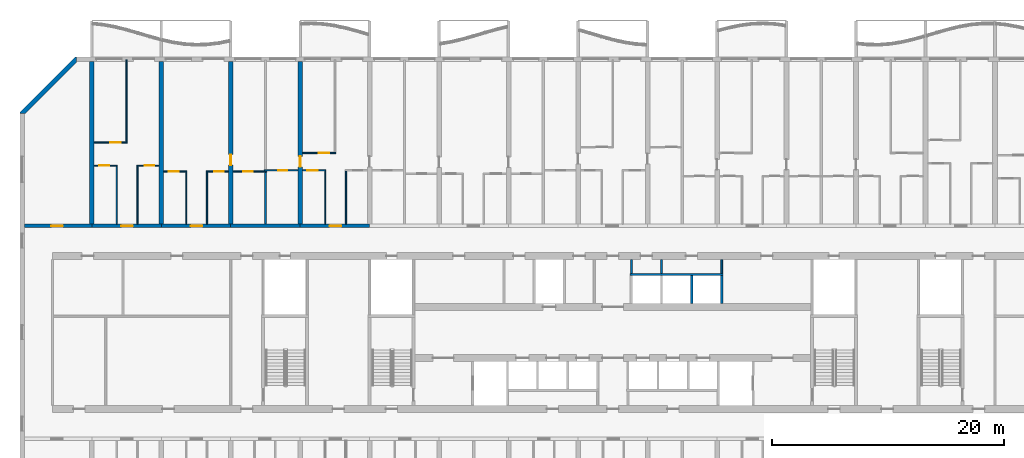
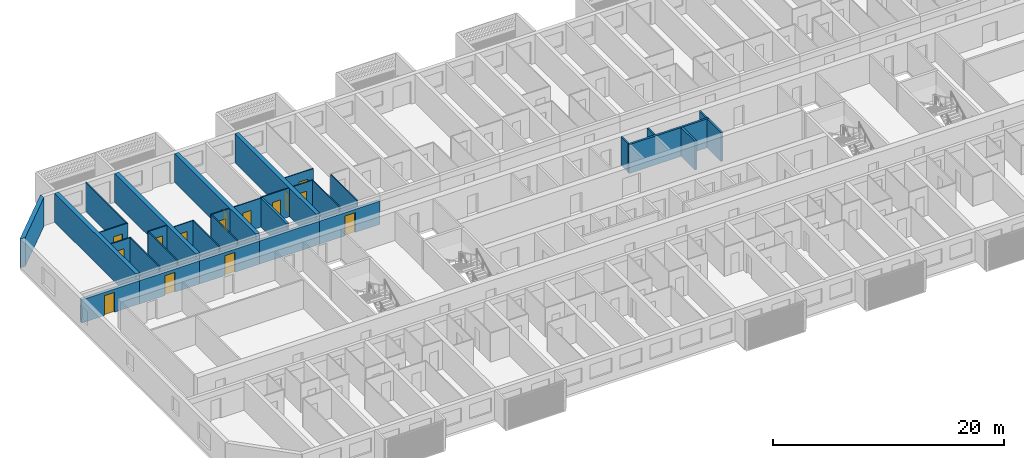
# One storey, part 10 of 40: 33 walls, 15 doors, 15 openings.
"""IFC4 building model written with IfcOpenShell, lengths in metres."""

from ifc_helpers import new_model, si_unit, direction, frame, frame_2d, origin, place, context, subcontext, project, spatial, polyline, rectangle, outline, extrude, material, layer, layer_set, type_object, element, fill, save


model = new_model("IFC4")

# Units and contexts
model_context = context("Model", 3, precision=1e-05, world=origin(), true_north=direction((0.0, 1.0)))
body_context = subcontext(model_context, "Body", "Model", "MODEL_VIEW")
ifc_project = project(units=[si_unit("LENGTHUNIT", "METRE"), si_unit("AREAUNIT", "SQUARE_METRE"), si_unit("VOLUMEUNIT", "CUBIC_METRE"), si_unit("PLANEANGLEUNIT", "RADIAN"), si_unit("MASSUNIT", "GRAM", prefix="KILO")], contexts=[model_context])

# Site, building, storey
site_placement = place(None, origin())
site = spatial("IfcSite", under=ifc_project, at=site_placement, CompositionType="ELEMENT")
building_placement = place(site_placement, origin())
building = spatial("IfcBuilding", under=site, at=building_placement, Name="Poui Terraces", CompositionType="ELEMENT")
storey_placement = place(building_placement, frame((0.0, 0.0, 39.89990234375)))
storey = spatial("IfcBuildingStorey", under=building, at=storey_placement, Name="L10", CompositionType="ELEMENT", Elevation=39.89990234375)

# Wall
ifc_material_1 = material(Name="Fire-rated plasterboard wall")
ifc_layer_1 = layer(ifc_material_1, 0.14990234375)
ifc_layer_set_1 = layer_set([ifc_layer_1], Name="Fire-rated plasterboard wall")
wall_type_1 = type_object("IfcWallType", Name="CORRIDOR WALL 150", PredefinedType="PARTITIONING", material=ifc_layer_set_1)
wall_1_placement = place(storey_placement, frame((52.60009765625, 26.300048828125, 0.0), z_axis=(0.0, 0.0, 1.0), x_axis=(0.0, 1.0, 0.0)))
element("IfcWall", 1, at=wall_1_placement, inside=storey, type_object=wall_type_1, Name="CORRIDOR WALL 150", PredefinedType="PARTITIONING", context=body_context, shape_type="SweptSolid", body=[
    extrude(rectangle(XDim=1.18994140625, YDim=0.14990234375, at=frame_2d((0.594970703125, 0.0))), origin(), (0.0, 0.0, 1.0), 3.050048828125),
])

# Wall, opening, door
ifc_material_2 = material(Name="Concrete 80 MPa", Category="concrete")
ifc_layer_2 = layer(ifc_material_2, 0.300048828125)
ifc_layer_set_2 = layer_set([ifc_layer_2], Name="Concrete 80 MPa")
wall_type_2 = type_object("IfcWallType", Name="CORRIDOR WALL 300 80MPa", PredefinedType="SHEAR", material=ifc_layer_set_2)
wall_2_placement = place(storey_placement, frame((0.199951171875, 30.39990234375, 0.0), z_axis=(0.0, 0.0, 1.0), x_axis=(1.0, 0.0, 0.0)))
wall_2 = element("IfcWall", 2, at=wall_2_placement, inside=storey, type_object=wall_type_2, Name="CORRIDOR WALL LINE E BAY 1", PredefinedType="SHEAR", context=body_context, shape_type="SweptSolid", body=[
    extrude(rectangle(XDim=5.800048828125, YDim=0.300048828125, at=frame_2d((2.89990234375, 0.0))), origin(), (0.0, 0.0, 1.0), 2.4501953125),
])
opening_1_placement = place(wall_2_placement, frame((2.300048828125, 0.0, 0.0)))
opening_1 = element("IfcOpeningElement", 3, at=opening_1_placement, cuts=wall_2, Name="Opening D100", PredefinedType="OPENING", context=body_context, shape_type="SweptSolid", body=[
    extrude(rectangle(XDim=1.0, YDim=2.10009765625, at=frame_2d((0.5, 1.050048828125))), frame((0.0, 0.16015625, 0.0), z_axis=(0.0, -1.0, 0.0), x_axis=(1.0, 0.0, 0.0)), (0.0, 0.0, 1.0), 0.320068359375),
])
ifc_material_3 = material(Name="Solid core timber door", Category="wood")
door_type_1 = type_object("IfcDoorType", Name="ACCESSIBLE INTERNAL DOOR 1000 X 2100", OperationType="NOTDEFINED", PredefinedType="DOOR", material=ifc_material_3)
door_1_placement = place(opening_1_placement, origin())
door_1 = element("IfcDoor", 4, at=door_1_placement, inside=storey, type_object=door_type_1, Name="ACCESSIBLE INTERNAL DOOR 030", OperationType="SINGLE_SWING_LEFT", OverallHeight=2.10009765625, OverallWidth=1.0, PredefinedType="DOOR", context=body_context, shape_type="SweptSolid", body=[
    extrude(rectangle(XDim=1.0, YDim=2.10009765625, at=frame_2d((0.5, 1.050048828125))), frame((0.0, 0.02490234375, 0.0), z_axis=(0.0, -1.0, 0.0), x_axis=(1.0, 0.0, 0.0)), (0.0, 0.0, 1.0), 0.050048828125),
])
fill(opening_1, door_1)

wall_3_placement = place(storey_placement, frame((6.0, 30.39990234375, 0.0), z_axis=(0.0, 0.0, 1.0), x_axis=(1.0, 0.0, 0.0)))
wall_3 = element("IfcWall", 5, at=wall_3_placement, inside=storey, type_object=wall_type_2, Name="CORRIDOR WALL LINE E BAY 2", PredefinedType="SHEAR", context=body_context, shape_type="SweptSolid", body=[
    extrude(rectangle(XDim=6.0, YDim=0.300048828125, at=frame_2d((3.0, 0.0))), origin(), (0.0, 0.0, 1.0), 2.4501953125),
])
opening_2_placement = place(wall_3_placement, frame((2.550048828125, 0.0, 0.0)))
opening_2 = element("IfcOpeningElement", 6, at=opening_2_placement, cuts=wall_3, Name="Opening FD30S", PredefinedType="OPENING", context=body_context, shape_type="SweptSolid", body=[
    extrude(rectangle(XDim=1.0, YDim=2.10009765625, at=frame_2d((0.5, 1.050048828125))), frame((0.0, 0.16015625, 0.0), z_axis=(0.0, -1.0, 0.0), x_axis=(1.0, 0.0, 0.0)), (0.0, 0.0, 1.0), 0.320068359375),
])
ifc_material_4 = material(Name="Steel fire door", Category="steel")
door_type_2 = type_object("IfcDoorType", Name="FLAT ENTRANCE DOOR 1000 X 2100", OperationType="NOTDEFINED", PredefinedType="DOOR", material=ifc_material_4)
door_2_placement = place(opening_2_placement, origin())
door_2 = element("IfcDoor", 7, at=door_2_placement, inside=storey, type_object=door_type_2, Name="FLAT ENTRANCE DOOR 033", OperationType="SINGLE_SWING_RIGHT", OverallHeight=2.10009765625, OverallWidth=1.0, PredefinedType="DOOR", context=body_context, shape_type="SweptSolid", body=[
    extrude(rectangle(XDim=1.0, YDim=2.10009765625, at=frame_2d((0.5, 1.050048828125))), frame((0.0, 0.02490234375, 0.0), z_axis=(0.0, -1.0, 0.0), x_axis=(1.0, 0.0, 0.0)), (0.0, 0.0, 1.0), 0.050048828125),
])
fill(opening_2, door_2)

wall_4_placement = place(storey_placement, frame((12.0, 30.39990234375, 0.0), z_axis=(0.0, 0.0, 1.0), x_axis=(1.0, 0.0, 0.0)))
wall_4 = element("IfcWall", 8, at=wall_4_placement, inside=storey, type_object=wall_type_2, Name="CORRIDOR WALL LINE E BAY 3", PredefinedType="SHEAR", context=body_context, shape_type="SweptSolid", body=[
    extrude(rectangle(XDim=6.0, YDim=0.300048828125, at=frame_2d((3.0, 0.0))), origin(), (0.0, 0.0, 1.0), 2.4501953125),
])
opening_3_placement = place(wall_4_placement, frame((2.550048828125, 0.0, 0.0)))
opening_3 = element("IfcOpeningElement", 9, at=opening_3_placement, cuts=wall_4, Name="Opening FD30S", PredefinedType="OPENING", context=body_context, shape_type="SweptSolid", body=[
    extrude(rectangle(XDim=1.0, YDim=2.10009765625, at=frame_2d((0.5, 1.050048828125))), frame((0.0, 0.16015625, 0.0), z_axis=(0.0, -1.0, 0.0), x_axis=(1.0, 0.0, 0.0)), (0.0, 0.0, 1.0), 0.320068359375),
])
door_3_placement = place(opening_3_placement, origin())
door_3 = element("IfcDoor", 10, at=door_3_placement, inside=storey, type_object=door_type_2, Name="FLAT ENTRANCE DOOR 037", OperationType="SINGLE_SWING_RIGHT", OverallHeight=2.10009765625, OverallWidth=1.0, PredefinedType="DOOR", context=body_context, shape_type="SweptSolid", body=[
    extrude(rectangle(XDim=1.0, YDim=2.10009765625, at=frame_2d((0.5, 1.050048828125))), frame((0.0, 0.02490234375, 0.0), z_axis=(0.0, -1.0, 0.0), x_axis=(1.0, 0.0, 0.0)), (0.0, 0.0, 1.0), 0.050048828125),
])
fill(opening_3, door_3)

# Wall
wall_5_placement = place(storey_placement, frame((18.0, 30.39990234375, 0.0), z_axis=(0.0, 0.0, 1.0), x_axis=(1.0, 0.0, 0.0)))
element("IfcWall", 11, at=wall_5_placement, inside=storey, type_object=wall_type_2, Name="CORRIDOR WALL LINE E BAY 4", PredefinedType="SHEAR", context=body_context, shape_type="SweptSolid", body=[
    extrude(rectangle(XDim=6.0, YDim=0.300048828125, at=frame_2d((3.0, 0.0))), origin(), (0.0, 0.0, 1.0), 2.4501953125),
])

# Wall, opening, door
wall_6_placement = place(storey_placement, frame((24.0, 30.39990234375, 0.0), z_axis=(0.0, 0.0, 1.0), x_axis=(1.0, 0.0, 0.0)))
wall_6 = element("IfcWall", 12, at=wall_6_placement, inside=storey, type_object=wall_type_2, Name="CORRIDOR WALL LINE E BAY 5", PredefinedType="SHEAR", context=body_context, shape_type="SweptSolid", body=[
    extrude(rectangle(XDim=6.0, YDim=0.300048828125, at=frame_2d((3.0, 0.0))), origin(), (0.0, 0.0, 1.0), 2.4501953125),
])
opening_4_placement = place(wall_6_placement, frame((2.550048828125, 0.0, 0.0)))
opening_4 = element("IfcOpeningElement", 13, at=opening_4_placement, cuts=wall_6, Name="Opening FD30S", PredefinedType="OPENING", context=body_context, shape_type="SweptSolid", body=[
    extrude(rectangle(XDim=1.0, YDim=2.10009765625, at=frame_2d((0.5, 1.050048828125))), frame((0.0, 0.16015625, 0.0), z_axis=(0.0, -1.0, 0.0), x_axis=(1.0, 0.0, 0.0)), (0.0, 0.0, 1.0), 0.320068359375),
])
door_4_placement = place(opening_4_placement, origin())
door_4 = element("IfcDoor", 14, at=door_4_placement, inside=storey, type_object=door_type_2, Name="FLAT ENTRANCE DOOR 045", OperationType="SINGLE_SWING_RIGHT", OverallHeight=2.10009765625, OverallWidth=1.0, PredefinedType="DOOR", context=body_context, shape_type="SweptSolid", body=[
    extrude(rectangle(XDim=1.0, YDim=2.10009765625, at=frame_2d((0.5, 1.050048828125))), frame((0.0, 0.02490234375, 0.0), z_axis=(0.0, -1.0, 0.0), x_axis=(1.0, 0.0, 0.0)), (0.0, 0.0, 1.0), 0.050048828125),
])
fill(opening_4, door_4)

# Walls
ifc_layer_3 = layer(ifc_material_2, 0.39990234375)
ifc_layer_set_3 = layer_set([ifc_layer_3], Name="Concrete 80 MPa")
wall_type_3 = type_object("IfcWallType", Name="CROSS WALL 400 80MPa", PredefinedType="SHEAR", material=ifc_layer_set_3)
for number, where, z_axis, x_axis, name in (
    (15, (6.0, 30.550048828125, 0.0), (0.0, 0.0, 1.0), (0.0, 1.0, 0.0), "CROSS WALL LINE 2 NORTH"),
    (16, (12.0, 30.550048828125, 0.0), (0.0, 0.0, 1.0), (0.0, 1.0, 0.0), "CROSS WALL LINE 3 NORTH"),
):
    element("IfcWall", number, at=place(storey_placement, frame(where, z_axis=z_axis, x_axis=x_axis)), inside=storey, type_object=wall_type_3, Name=name, PredefinedType="SHEAR", context=body_context, shape_type="SweptSolid", body=[
        extrude(rectangle(XDim=14.050048828125, YDim=0.39990234375, at=frame_2d((7.02490234375, 0.0))), origin(), (0.0, 0.0, 1.0), 3.050048828125),
    ])

# Wall, opening, door
wall_7_placement = place(storey_placement, frame((18.0, 30.550048828125, 0.0), z_axis=(0.0, 0.0, 1.0), x_axis=(0.0, 1.0, 0.0)))
wall_7 = element("IfcWall", 17, at=wall_7_placement, inside=storey, type_object=wall_type_3, Name="CROSS WALL LINE 4 NORTH", PredefinedType="SHEAR", context=body_context, shape_type="SweptSolid", body=[
    extrude(rectangle(XDim=14.050048828125, YDim=0.39990234375, at=frame_2d((7.02490234375, 0.0))), origin(), (0.0, 0.0, 1.0), 3.050048828125),
])
opening_5_placement = place(wall_7_placement, frame((5.10009765625, 0.0, 0.0)))
opening_5 = element("IfcOpeningElement", 18, at=opening_5_placement, cuts=wall_7, Name="Opening D90", PredefinedType="OPENING", context=body_context, shape_type="SweptSolid", body=[
    extrude(rectangle(XDim=0.89990234375, YDim=2.10009765625, at=frame_2d((0.449951171875, 1.050048828125))), frame((0.0, 0.2099609375, 0.0), z_axis=(0.0, -1.0, 0.0), x_axis=(1.0, 0.0, 0.0)), (0.0, 0.0, 1.0), 0.419921875),
])
door_type_3 = type_object("IfcDoorType", Name="INTERNAL DOOR 900 X 2100", OperationType="NOTDEFINED", PredefinedType="DOOR", material=ifc_material_3)
door_5_placement = place(opening_5_placement, frame((0.89990234375, 0.0, 0.0), z_axis=(0.0, 0.0, 1.0), x_axis=(-1.0, 0.0, 0.0)))
door_5 = element("IfcDoor", 19, at=door_5_placement, inside=storey, type_object=door_type_3, Name="INTERNAL DOOR 039", OperationType="SINGLE_SWING_RIGHT", OverallHeight=2.10009765625, OverallWidth=0.89990234375, PredefinedType="DOOR", context=body_context, shape_type="SweptSolid", body=[
    extrude(rectangle(XDim=0.89990234375, YDim=2.10009765625, at=frame_2d((0.449951171875, 1.050048828125))), frame((0.0, 0.02490234375, 0.0), z_axis=(0.0, -1.0, 0.0), x_axis=(1.0, 0.0, 0.0)), (0.0, 0.0, 1.0), 0.050048828125),
])
fill(opening_5, door_5)

wall_8_placement = place(storey_placement, frame((24.0, 30.550048828125, 0.0), z_axis=(0.0, 0.0, 1.0), x_axis=(0.0, 1.0, 0.0)))
wall_8 = element("IfcWall", 20, at=wall_8_placement, inside=storey, type_object=wall_type_3, Name="CROSS WALL LINE 5 NORTH", PredefinedType="SHEAR", context=body_context, shape_type="SweptSolid", body=[
    extrude(rectangle(XDim=14.050048828125, YDim=0.39990234375, at=frame_2d((7.02490234375, 0.0))), origin(), (0.0, 0.0, 1.0), 3.050048828125),
])
opening_6_placement = place(wall_8_placement, frame((4.949951171875, 0.0, 0.0)))
opening_6 = element("IfcOpeningElement", 21, at=opening_6_placement, cuts=wall_8, Name="Opening D90", PredefinedType="OPENING", context=body_context, shape_type="SweptSolid", body=[
    extrude(rectangle(XDim=0.89990234375, YDim=2.10009765625, at=frame_2d((0.449951171875, 1.050048828125))), frame((0.0, 0.2099609375, 0.0), z_axis=(0.0, -1.0, 0.0), x_axis=(1.0, 0.0, 0.0)), (0.0, 0.0, 1.0), 0.419921875),
])
door_6_placement = place(opening_6_placement, origin())
door_6 = element("IfcDoor", 22, at=door_6_placement, inside=storey, type_object=door_type_3, Name="INTERNAL DOOR 042", OperationType="SINGLE_SWING_LEFT", OverallHeight=2.10009765625, OverallWidth=0.89990234375, PredefinedType="DOOR", context=body_context, shape_type="SweptSolid", body=[
    extrude(rectangle(XDim=0.89990234375, YDim=2.10009765625, at=frame_2d((0.449951171875, 1.050048828125))), frame((0.0, 0.02490234375, 0.0), z_axis=(0.0, -1.0, 0.0), x_axis=(1.0, 0.0, 0.0)), (0.0, 0.0, 1.0), 0.050048828125),
])
fill(opening_6, door_6)

ifc_material_5 = material(Name="Plasterboard partition")
ifc_layer_4 = layer(ifc_material_5, 0.10009765625)
ifc_layer_set_4 = layer_set([ifc_layer_4], Name="Plasterboard partition")
wall_type_4 = type_object("IfcWallType", Name="FLAT PARTITION 100", PredefinedType="PARTITIONING", material=ifc_layer_set_4)
wall_9_placement = place(storey_placement, frame((12.2099609375, 35.10009765625, 0.0), z_axis=(0.0, 0.0, 1.0), x_axis=(1.0, 0.0, 0.0)))
wall_9 = element("IfcWall", 23, at=wall_9_placement, inside=storey, type_object=wall_type_4, Name="FLAT PARTITION 100", PredefinedType="PARTITIONING", context=body_context, shape_type="SweptSolid", body=[
    extrude(rectangle(XDim=1.989990234375, YDim=0.10009765625, at=frame_2d((0.9951171875, 0.0))), origin(), (0.0, 0.0, 1.0), 3.050048828125),
])
opening_7_placement = place(wall_9_placement, frame((0.4150390625, 0.0, 0.0)))
opening_7 = element("IfcOpeningElement", 24, at=opening_7_placement, cuts=wall_9, Name="Opening D90", PredefinedType="OPENING", context=body_context, shape_type="SweptSolid", body=[
    extrude(rectangle(XDim=0.89990234375, YDim=2.10009765625, at=frame_2d((0.449951171875, 1.050048828125))), frame((0.0, 0.06005859375, 0.0), z_axis=(0.0, -1.0, 0.0), x_axis=(1.0, 0.0, 0.0)), (0.0, 0.0, 1.0), 0.1201171875),
])
door_7_placement = place(opening_7_placement, frame((0.89990234375, 0.0, 0.0), z_axis=(0.0, 0.0, 1.0), x_axis=(-1.0, 0.0, 0.0)))
door_7 = element("IfcDoor", 25, at=door_7_placement, inside=storey, type_object=door_type_3, Name="INTERNAL DOOR 036", OperationType="SINGLE_SWING_LEFT", OverallHeight=2.10009765625, OverallWidth=0.89990234375, PredefinedType="DOOR", context=body_context, shape_type="SweptSolid", body=[
    extrude(rectangle(XDim=0.89990234375, YDim=2.10009765625, at=frame_2d((0.449951171875, 1.050048828125))), frame((0.0, 0.02490234375, 0.0), z_axis=(0.0, -1.0, 0.0), x_axis=(1.0, 0.0, 0.0)), (0.0, 0.0, 1.0), 0.050048828125),
])
fill(opening_7, door_7)

wall_10_placement = place(storey_placement, frame((15.89990234375, 35.10009765625, 0.0), z_axis=(0.0, 0.0, 1.0), x_axis=(1.0, 0.0, 0.0)))
wall_10 = element("IfcWall", 26, at=wall_10_placement, inside=storey, type_object=wall_type_4, Name="FLAT PARTITION 100", PredefinedType="PARTITIONING", context=body_context, shape_type="SweptSolid", body=[
    extrude(rectangle(XDim=1.89013671875, YDim=0.10009765625, at=frame_2d((0.945068359375, 0.0))), origin(), (0.0, 0.0, 1.0), 3.050048828125),
])
opening_8_placement = place(wall_10_placement, frame((0.675048828125, 0.0, 0.0)))
opening_8 = element("IfcOpeningElement", 27, at=opening_8_placement, cuts=wall_10, Name="Opening D80", PredefinedType="OPENING", context=body_context, shape_type="SweptSolid", body=[
    extrude(rectangle(XDim=0.800048828125, YDim=2.10009765625, at=frame_2d((0.39990234375, 1.050048828125))), frame((0.0, 0.06005859375, 0.0), z_axis=(0.0, -1.0, 0.0), x_axis=(1.0, 0.0, 0.0)), (0.0, 0.0, 1.0), 0.1201171875),
])
door_type_4 = type_object("IfcDoorType", Name="BATHROOM, LAUNDRY AND STORE DOOR 800 X 2100", OperationType="NOTDEFINED", PredefinedType="DOOR", material=ifc_material_3)
door_8_placement = place(opening_8_placement, frame((0.800048828125, 0.0, 0.0), z_axis=(0.0, 0.0, 1.0), x_axis=(-1.0, 0.0, 0.0)))
door_8 = element("IfcDoor", 28, at=door_8_placement, inside=storey, type_object=door_type_4, Name="BATHROOM, LAUNDRY AND STORE DOOR 038", OperationType="SINGLE_SWING_RIGHT", OverallHeight=2.10009765625, OverallWidth=0.800048828125, PredefinedType="DOOR", context=body_context, shape_type="SweptSolid", body=[
    extrude(rectangle(XDim=0.800048828125, YDim=2.10009765625, at=frame_2d((0.39990234375, 1.050048828125))), frame((0.0, 0.02490234375, 0.0), z_axis=(0.0, -1.0, 0.0), x_axis=(1.0, 0.0, 0.0)), (0.0, 0.0, 1.0), 0.050048828125),
])
fill(opening_8, door_8)

wall_11_placement = place(storey_placement, frame((18.2099609375, 35.10009765625, 0.0), z_axis=(0.0, 0.0, 1.0), x_axis=(1.0, 0.0, 0.0)))
wall_11 = element("IfcWall", 29, at=wall_11_placement, inside=storey, type_object=wall_type_4, Name="FLAT PARTITION 100", PredefinedType="PARTITIONING", context=body_context, shape_type="SweptSolid", body=[
    extrude(rectangle(XDim=2.89013671875, YDim=0.10009765625, at=frame_2d((1.445068359375, 0.0))), origin(), (0.0, 0.0, 1.0), 3.050048828125),
])
opening_9_placement = place(wall_11_placement, frame((0.889892578125, 0.0, 0.0)))
opening_9 = element("IfcOpeningElement", 30, at=opening_9_placement, cuts=wall_11, Name="Opening D80", PredefinedType="OPENING", context=body_context, shape_type="SweptSolid", body=[
    extrude(rectangle(XDim=0.800048828125, YDim=2.10009765625, at=frame_2d((0.39990234375, 1.050048828125))), frame((0.0, 0.06005859375, 0.0), z_axis=(0.0, -1.0, 0.0), x_axis=(1.0, 0.0, 0.0)), (0.0, 0.0, 1.0), 0.1201171875),
])
door_9_placement = place(opening_9_placement, frame((0.800048828125, 0.0, 0.0), z_axis=(0.0, 0.0, 1.0), x_axis=(-1.0, 0.0, 0.0)))
door_9 = element("IfcDoor", 31, at=door_9_placement, inside=storey, type_object=door_type_4, Name="BATHROOM, LAUNDRY AND STORE DOOR 035", OperationType="SINGLE_SWING_RIGHT", OverallHeight=2.10009765625, OverallWidth=0.800048828125, PredefinedType="DOOR", context=body_context, shape_type="SweptSolid", body=[
    extrude(rectangle(XDim=0.800048828125, YDim=2.10009765625, at=frame_2d((0.39990234375, 1.050048828125))), frame((0.0, 0.02490234375, 0.0), z_axis=(0.0, -1.0, 0.0), x_axis=(1.0, 0.0, 0.0)), (0.0, 0.0, 1.0), 0.050048828125),
])
fill(opening_9, door_9)

wall_12_placement = place(storey_placement, frame((20.89990234375, 35.199951171875, 0.0), z_axis=(0.0, 0.0, 1.0), x_axis=(1.0, 0.0, 0.0)))
wall_12 = element("IfcWall", 32, at=wall_12_placement, inside=storey, type_object=wall_type_4, Name="FLAT PARTITION 100", PredefinedType="PARTITIONING", context=body_context, shape_type="SweptSolid", body=[
    extrude(rectangle(XDim=2.89013671875, YDim=0.10009765625, at=frame_2d((1.445068359375, 0.0))), origin(), (0.0, 0.0, 1.0), 3.050048828125),
])
opening_10_placement = place(wall_12_placement, frame((1.199951171875, 0.0, 0.0)))
opening_10 = element("IfcOpeningElement", 33, at=opening_10_placement, cuts=wall_12, Name="Opening D80", PredefinedType="OPENING", context=body_context, shape_type="SweptSolid", body=[
    extrude(rectangle(XDim=0.800048828125, YDim=2.10009765625, at=frame_2d((0.39990234375, 1.050048828125))), frame((0.0, 0.06005859375, 0.0), z_axis=(0.0, -1.0, 0.0), x_axis=(1.0, 0.0, 0.0)), (0.0, 0.0, 1.0), 0.1201171875),
])
door_10_placement = place(opening_10_placement, frame((0.800048828125, 0.0, 0.0), z_axis=(0.0, 0.0, 1.0), x_axis=(-1.0, 0.0, 0.0)))
door_10 = element("IfcDoor", 34, at=door_10_placement, inside=storey, type_object=door_type_4, Name="BATHROOM, LAUNDRY AND STORE DOOR 040", OperationType="SINGLE_SWING_LEFT", OverallHeight=2.10009765625, OverallWidth=0.800048828125, PredefinedType="DOOR", context=body_context, shape_type="SweptSolid", body=[
    extrude(rectangle(XDim=0.800048828125, YDim=2.10009765625, at=frame_2d((0.39990234375, 1.050048828125))), frame((0.0, 0.02490234375, 0.0), z_axis=(0.0, -1.0, 0.0), x_axis=(1.0, 0.0, 0.0)), (0.0, 0.0, 1.0), 0.050048828125),
])
fill(opening_10, door_10)

wall_13_placement = place(storey_placement, frame((24.2099609375, 35.199951171875, 0.0), z_axis=(0.0, 0.0, 1.0), x_axis=(1.0, 0.0, 0.0)))
wall_13 = element("IfcWall", 35, at=wall_13_placement, inside=storey, type_object=wall_type_4, Name="FLAT PARTITION 100", PredefinedType="PARTITIONING", context=body_context, shape_type="SweptSolid", body=[
    extrude(rectangle(XDim=1.989990234375, YDim=0.10009765625, at=frame_2d((0.9951171875, 0.0))), origin(), (0.0, 0.0, 1.0), 3.050048828125),
])
opening_11_placement = place(wall_13_placement, frame((0.4150390625, 0.0, 0.0)))
opening_11 = element("IfcOpeningElement", 36, at=opening_11_placement, cuts=wall_13, Name="Opening D90", PredefinedType="OPENING", context=body_context, shape_type="SweptSolid", body=[
    extrude(rectangle(XDim=0.89990234375, YDim=2.10009765625, at=frame_2d((0.449951171875, 1.050048828125))), frame((0.0, 0.06005859375, 0.0), z_axis=(0.0, -1.0, 0.0), x_axis=(1.0, 0.0, 0.0)), (0.0, 0.0, 1.0), 0.1201171875),
])
door_11_placement = place(opening_11_placement, frame((0.89990234375, 0.0, 0.0), z_axis=(0.0, 0.0, 1.0), x_axis=(-1.0, 0.0, 0.0)))
door_11 = element("IfcDoor", 37, at=door_11_placement, inside=storey, type_object=door_type_3, Name="INTERNAL DOOR 043", OperationType="SINGLE_SWING_LEFT", OverallHeight=2.10009765625, OverallWidth=0.89990234375, PredefinedType="DOOR", context=body_context, shape_type="SweptSolid", body=[
    extrude(rectangle(XDim=0.89990234375, YDim=2.10009765625, at=frame_2d((0.449951171875, 1.050048828125))), frame((0.0, 0.02490234375, 0.0), z_axis=(0.0, -1.0, 0.0), x_axis=(1.0, 0.0, 0.0)), (0.0, 0.0, 1.0), 0.050048828125),
])
fill(opening_11, door_11)

wall_14_placement = place(storey_placement, frame((6.2099609375, 35.60009765625, 0.0), z_axis=(0.0, 0.0, 1.0), x_axis=(1.0, 0.0, 0.0)))
wall_14 = element("IfcWall", 38, at=wall_14_placement, inside=storey, type_object=wall_type_4, Name="FLAT PARTITION 100", PredefinedType="PARTITIONING", context=body_context, shape_type="SweptSolid", body=[
    extrude(rectangle(XDim=1.989990234375, YDim=0.10009765625, at=frame_2d((0.9951171875, 0.0))), origin(), (0.0, 0.0, 1.0), 3.050048828125),
])
opening_12_placement = place(wall_14_placement, frame((0.4150390625, 0.0, 0.0)))
opening_12 = element("IfcOpeningElement", 39, at=opening_12_placement, cuts=wall_14, Name="Opening D90", PredefinedType="OPENING", context=body_context, shape_type="SweptSolid", body=[
    extrude(rectangle(XDim=0.89990234375, YDim=2.10009765625, at=frame_2d((0.449951171875, 1.050048828125))), frame((0.0, 0.06005859375, 0.0), z_axis=(0.0, -1.0, 0.0), x_axis=(1.0, 0.0, 0.0)), (0.0, 0.0, 1.0), 0.1201171875),
])
door_12_placement = place(opening_12_placement, frame((0.89990234375, 0.0, 0.0), z_axis=(0.0, 0.0, 1.0), x_axis=(-1.0, 0.0, 0.0)))
door_12 = element("IfcDoor", 40, at=door_12_placement, inside=storey, type_object=door_type_3, Name="INTERNAL DOOR 031", OperationType="SINGLE_SWING_LEFT", OverallHeight=2.10009765625, OverallWidth=0.89990234375, PredefinedType="DOOR", context=body_context, shape_type="SweptSolid", body=[
    extrude(rectangle(XDim=0.89990234375, YDim=2.10009765625, at=frame_2d((0.449951171875, 1.050048828125))), frame((0.0, 0.02490234375, 0.0), z_axis=(0.0, -1.0, 0.0), x_axis=(1.0, 0.0, 0.0)), (0.0, 0.0, 1.0), 0.050048828125),
])
fill(opening_12, door_12)

wall_15_placement = place(storey_placement, frame((9.89990234375, 35.60009765625, 0.0), z_axis=(0.0, 0.0, 1.0), x_axis=(1.0, 0.0, 0.0)))
wall_15 = element("IfcWall", 41, at=wall_15_placement, inside=storey, type_object=wall_type_4, Name="FLAT PARTITION 100", PredefinedType="PARTITIONING", context=body_context, shape_type="SweptSolid", body=[
    extrude(rectangle(XDim=1.89013671875, YDim=0.10009765625, at=frame_2d((0.945068359375, 0.0))), origin(), (0.0, 0.0, 1.0), 3.050048828125),
])
opening_13_placement = place(wall_15_placement, frame((0.675048828125, 0.0, 0.0)))
opening_13 = element("IfcOpeningElement", 42, at=opening_13_placement, cuts=wall_15, Name="Opening D80", PredefinedType="OPENING", context=body_context, shape_type="SweptSolid", body=[
    extrude(rectangle(XDim=0.800048828125, YDim=2.10009765625, at=frame_2d((0.39990234375, 1.050048828125))), frame((0.0, 0.06005859375, 0.0), z_axis=(0.0, -1.0, 0.0), x_axis=(1.0, 0.0, 0.0)), (0.0, 0.0, 1.0), 0.1201171875),
])
door_13_placement = place(opening_13_placement, frame((0.800048828125, 0.0, 0.0), z_axis=(0.0, 0.0, 1.0), x_axis=(-1.0, 0.0, 0.0)))
door_13 = element("IfcDoor", 43, at=door_13_placement, inside=storey, type_object=door_type_4, Name="BATHROOM, LAUNDRY AND STORE DOOR 034", OperationType="SINGLE_SWING_RIGHT", OverallHeight=2.10009765625, OverallWidth=0.800048828125, PredefinedType="DOOR", context=body_context, shape_type="SweptSolid", body=[
    extrude(rectangle(XDim=0.800048828125, YDim=2.10009765625, at=frame_2d((0.39990234375, 1.050048828125))), frame((0.0, 0.02490234375, 0.0), z_axis=(0.0, -1.0, 0.0), x_axis=(1.0, 0.0, 0.0)), (0.0, 0.0, 1.0), 0.050048828125),
])
fill(opening_13, door_13)

wall_16_placement = place(storey_placement, frame((24.2099609375, 36.699951171875, 0.0), z_axis=(0.0, 0.0, 1.0), x_axis=(1.0, 0.0, 0.0)))
wall_16 = element("IfcWall", 44, at=wall_16_placement, inside=storey, type_object=wall_type_4, Name="FLAT PARTITION 100", PredefinedType="PARTITIONING", context=body_context, shape_type="SweptSolid", body=[
    extrude(rectangle(XDim=2.840087890625, YDim=0.10009765625, at=frame_2d((1.419921875, 0.0))), origin(), (0.0, 0.0, 1.0), 3.050048828125),
])
opening_14_placement = place(wall_16_placement, frame((1.389892578125, 0.0, 0.0)))
opening_14 = element("IfcOpeningElement", 45, at=opening_14_placement, cuts=wall_16, Name="Opening D90", PredefinedType="OPENING", context=body_context, shape_type="SweptSolid", body=[
    extrude(rectangle(XDim=0.89990234375, YDim=2.10009765625, at=frame_2d((0.449951171875, 1.050048828125))), frame((0.0, 0.06005859375, 0.0), z_axis=(0.0, -1.0, 0.0), x_axis=(1.0, 0.0, 0.0)), (0.0, 0.0, 1.0), 0.1201171875),
])
door_14_placement = place(opening_14_placement, frame((0.89990234375, 0.0, 0.0), z_axis=(0.0, 0.0, 1.0), x_axis=(-1.0, 0.0, 0.0)))
door_14 = element("IfcDoor", 46, at=door_14_placement, inside=storey, type_object=door_type_3, Name="INTERNAL DOOR 044", OperationType="SINGLE_SWING_RIGHT", OverallHeight=2.10009765625, OverallWidth=0.89990234375, PredefinedType="DOOR", context=body_context, shape_type="SweptSolid", body=[
    extrude(rectangle(XDim=0.89990234375, YDim=2.10009765625, at=frame_2d((0.449951171875, 1.050048828125))), frame((0.0, 0.02490234375, 0.0), z_axis=(0.0, -1.0, 0.0), x_axis=(1.0, 0.0, 0.0)), (0.0, 0.0, 1.0), 0.050048828125),
])
fill(opening_14, door_14)

wall_17_placement = place(storey_placement, frame((6.2099609375, 37.60009765625, 0.0), z_axis=(0.0, 0.0, 1.0), x_axis=(1.0, 0.0, 0.0)))
wall_17 = element("IfcWall", 47, at=wall_17_placement, inside=storey, type_object=wall_type_4, Name="FLAT PARTITION 100", PredefinedType="PARTITIONING", context=body_context, shape_type="SweptSolid", body=[
    extrude(rectangle(XDim=2.840087890625, YDim=0.10009765625, at=frame_2d((1.419921875, 0.0))), origin(), (0.0, 0.0, 1.0), 3.050048828125),
])
opening_15_placement = place(wall_17_placement, frame((1.389892578125, 0.0, 0.0)))
opening_15 = element("IfcOpeningElement", 48, at=opening_15_placement, cuts=wall_17, Name="Opening D90", PredefinedType="OPENING", context=body_context, shape_type="SweptSolid", body=[
    extrude(rectangle(XDim=0.89990234375, YDim=2.10009765625, at=frame_2d((0.449951171875, 1.050048828125))), frame((0.0, 0.06005859375, 0.0), z_axis=(0.0, -1.0, 0.0), x_axis=(1.0, 0.0, 0.0)), (0.0, 0.0, 1.0), 0.1201171875),
])
door_15_placement = place(opening_15_placement, frame((0.89990234375, 0.0, 0.0), z_axis=(0.0, 0.0, 1.0), x_axis=(-1.0, 0.0, 0.0)))
door_15 = element("IfcDoor", 49, at=door_15_placement, inside=storey, type_object=door_type_3, Name="INTERNAL DOOR 032", OperationType="SINGLE_SWING_RIGHT", OverallHeight=2.10009765625, OverallWidth=0.89990234375, PredefinedType="DOOR", context=body_context, shape_type="SweptSolid", body=[
    extrude(rectangle(XDim=0.89990234375, YDim=2.10009765625, at=frame_2d((0.449951171875, 1.050048828125))), frame((0.0, 0.02490234375, 0.0), z_axis=(0.0, -1.0, 0.0), x_axis=(1.0, 0.0, 0.0)), (0.0, 0.0, 1.0), 0.050048828125),
])
fill(opening_15, door_15)

# Walls
wall_18_placement = place(storey_placement, frame((8.14990234375, 30.56005859375, 0.0), z_axis=(0.0, 0.0, 1.0), x_axis=(0.0, 1.0, 0.0)))
element("IfcWall", 50, at=wall_18_placement, inside=storey, type_object=wall_type_4, Name="FLAT PARTITION 100", PredefinedType="PARTITIONING", context=body_context, shape_type="SweptSolid", body=[
    extrude(rectangle(XDim=4.989990234375, YDim=0.10009765625, at=frame_2d((2.4951171875, 0.0))), origin(), (0.0, 0.0, 1.0), 3.050048828125),
])
wall_19_placement = place(storey_placement, frame((9.0, 37.64990234375, 0.0), z_axis=(0.0, 0.0, 1.0), x_axis=(0.0, 1.0, 0.0)))
element("IfcWall", 51, at=wall_19_placement, inside=storey, type_object=wall_type_4, Name="FLAT PARTITION 100", PredefinedType="PARTITIONING", context=body_context, shape_type="SweptSolid", body=[
    extrude(rectangle(XDim=7.090087890625, YDim=0.10009765625, at=frame_2d((3.544921875, 0.0))), origin(), (0.0, 0.0, 1.0), 3.050048828125),
])
wall_20_placement = place(storey_placement, frame((9.949951171875, 30.56005859375, 0.0), z_axis=(0.0, 0.0, 1.0), x_axis=(0.0, 1.0, 0.0)))
element("IfcWall", 52, at=wall_20_placement, inside=storey, type_object=wall_type_4, Name="FLAT PARTITION 100", PredefinedType="PARTITIONING", context=body_context, shape_type="SweptSolid", body=[
    extrude(rectangle(XDim=4.989990234375, YDim=0.10009765625, at=frame_2d((2.4951171875, 0.0))), origin(), (0.0, 0.0, 1.0), 3.050048828125),
])
for number, where, z_axis, x_axis, name in (
    (53, (14.14990234375, 30.56005859375, 0.0), (0.0, 0.0, 1.0), (0.0, 1.0, 0.0), "FLAT PARTITION 100"),
    (54, (15.949951171875, 30.56005859375, 0.0), (0.0, 0.0, 1.0), (0.0, 1.0, 0.0), "FLAT PARTITION 100"),
):
    element("IfcWall", number, at=place(storey_placement, frame(where, z_axis=z_axis, x_axis=x_axis)), inside=storey, type_object=wall_type_4, Name=name, PredefinedType="PARTITIONING", context=body_context, shape_type="SweptSolid", body=[
        extrude(rectangle(XDim=4.489990234375, YDim=0.10009765625, at=frame_2d((2.2451171875, 0.0))), origin(), (0.0, 0.0, 1.0), 3.050048828125),
    ])
for number, where, z_axis, x_axis, name in (
    (55, (26.14990234375, 30.56005859375, 0.0), (0.0, 0.0, 1.0), (0.0, 1.0, 0.0), "FLAT PARTITION 100"),
    (56, (27.949951171875, 30.56005859375, 0.0), (0.0, 0.0, 1.0), (0.0, 1.0, 0.0), "FLAT PARTITION 100"),
):
    element("IfcWall", number, at=place(storey_placement, frame(where, z_axis=z_axis, x_axis=x_axis)), inside=storey, type_object=wall_type_4, Name=name, PredefinedType="PARTITIONING", context=body_context, shape_type="SweptSolid", body=[
        extrude(rectangle(XDim=4.58984375, YDim=0.10009765625, at=frame_2d((2.294921875, 0.0))), origin(), (0.0, 0.0, 1.0), 3.050048828125),
    ])
ifc_material_6 = material(Name="Fire-rated masonry wall", Category="masonry")
ifc_layer_5 = layer(ifc_material_6, 0.199951171875)
ifc_layer_set_5 = layer_set([ifc_layer_5], Name="Fire-rated masonry wall")
wall_type_5 = type_object("IfcWallType", Name="FLAT PARTY WALL 200", PredefinedType="PARTITIONING", material=ifc_layer_set_5)
wall_21_placement = place(storey_placement, frame((21.0, 30.56005859375, 0.0), z_axis=(0.0, 0.0, 1.0), x_axis=(0.0, 1.0, 0.0)))
element("IfcWall", 57, at=wall_21_placement, inside=storey, type_object=wall_type_5, Name="FLAT PARTY WALL 200", PredefinedType="PARTITIONING", context=body_context, shape_type="SweptSolid", body=[
    extrude(rectangle(XDim=4.489990234375, YDim=0.199951171875, at=frame_2d((2.2451171875, 0.0))), origin(), (0.0, 0.0, 1.0), 3.050048828125),
])
ifc_layer_6 = layer(ifc_material_5, 0.14990234375)
ifc_layer_set_6 = layer_set([ifc_layer_6], Name="Plasterboard partition")
wall_type_6 = type_object("IfcWallType", Name="PARTITION WALL 150", PredefinedType="PARTITIONING", material=ifc_layer_set_6)
for number, where, z_axis, x_axis, name in (
    (58, (55.199951171875, 26.300048828125, 0.0), (0.0, 0.0, 1.0), (0.0, 1.0, 0.0), "PARTITION WALL 150"),
    (59, (60.39990234375, 26.300048828125, 0.0), (0.0, 0.0, 1.0), (0.0, 1.0, 0.0), "PARTITION WALL 150"),
):
    element("IfcWall", number, at=place(storey_placement, frame(where, z_axis=z_axis, x_axis=x_axis)), inside=storey, type_object=wall_type_6, Name=name, PredefinedType="PARTITIONING", context=body_context, shape_type="SweptSolid", body=[
        extrude(rectangle(XDim=1.18994140625, YDim=0.14990234375, at=frame_2d((0.594970703125, 0.0))), origin(), (0.0, 0.0, 1.0), 3.050048828125),
    ])
ifc_material_7 = material(Name="Fire-rated masonry shaft wall", Category="masonry")
ifc_layer_7 = layer(ifc_material_7, 0.199951171875)
ifc_layer_set_7 = layer_set([ifc_layer_7], Name="Fire-rated masonry shaft wall")
wall_type_7 = type_object("IfcWallType", Name="SHAFT WALL 200", PredefinedType="PARTITIONING", material=ifc_layer_set_7)
wall_22_placement = place(storey_placement, frame((52.5, 26.199951171875, 0.0), z_axis=(0.0, 0.0, 1.0), x_axis=(1.0, 0.0, 0.0)))
element("IfcWall", 60, at=wall_22_placement, inside=storey, type_object=wall_type_7, Name="SHAFT WALL 200", PredefinedType="PARTITIONING", context=body_context, shape_type="SweptSolid", body=[
    extrude(rectangle(XDim=8.0, YDim=0.199951171875, at=frame_2d((4.0, 0.0))), origin(), (0.0, 0.0, 1.0), 3.050048828125),
])
for number, where, z_axis, x_axis, name in (
    (61, (57.800048828125, 23.7099609375, 0.0), (0.0, 0.0, 1.0), (0.0, 1.0, 0.0), "SHAFT WALL 200"),
    (62, (60.39990234375, 23.7099609375, 0.0), (0.0, 0.0, 1.0), (0.0, 1.0, 0.0), "SHAFT WALL 200"),
):
    element("IfcWall", number, at=place(storey_placement, frame(where, z_axis=z_axis, x_axis=x_axis)), inside=storey, type_object=wall_type_7, Name=name, PredefinedType="PARTITIONING", context=body_context, shape_type="SweptSolid", body=[
        extrude(rectangle(XDim=2.39013671875, YDim=0.199951171875, at=frame_2d((1.195068359375, 0.0))), origin(), (0.0, 0.0, 1.0), 3.050048828125),
    ])
ifc_material_8 = material(Name="Precast concrete 40 MPa", Category="concrete")
ifc_layer_8 = layer(ifc_material_8, 0.39990234375)
ifc_layer_set_8 = layer_set([ifc_layer_8], Name="Precast concrete 40 MPa")
wall_type_8 = type_object("IfcWallType", Name="TERRACOTTA CLAD CHAMFER WALL 400", PredefinedType="STANDARD", material=ifc_layer_set_8)
wall_23_placement = place(storey_placement, origin())
element("IfcWall", 63, at=wall_23_placement, inside=storey, type_object=wall_type_8, Name="CHAMFER WALL CH05", PredefinedType="STANDARD", context=body_context, shape_type="SweptSolid", body=[
    extrude(outline(polyline([(4.682861328125, 45.0), (4.60009765625, 45.0), (-0.199951171875, 40.199951171875), (-0.199951171875, 40.1171875), (0.28271484375, 40.1171875), (4.682861328125, 44.51708984375), (4.682861328125, 45.0)])), origin(), (0.0, 0.0, 1.0), 3.050048828125),
])

save(model, "model.ifc")
